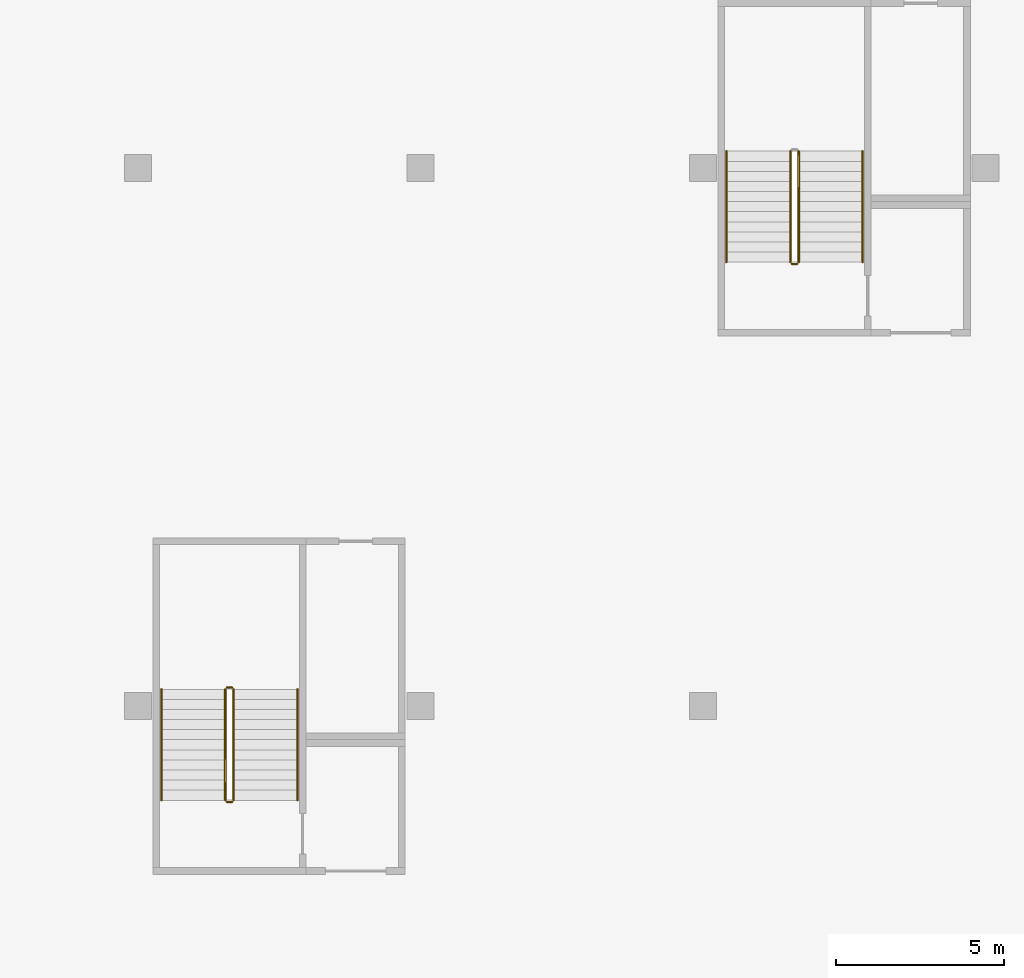
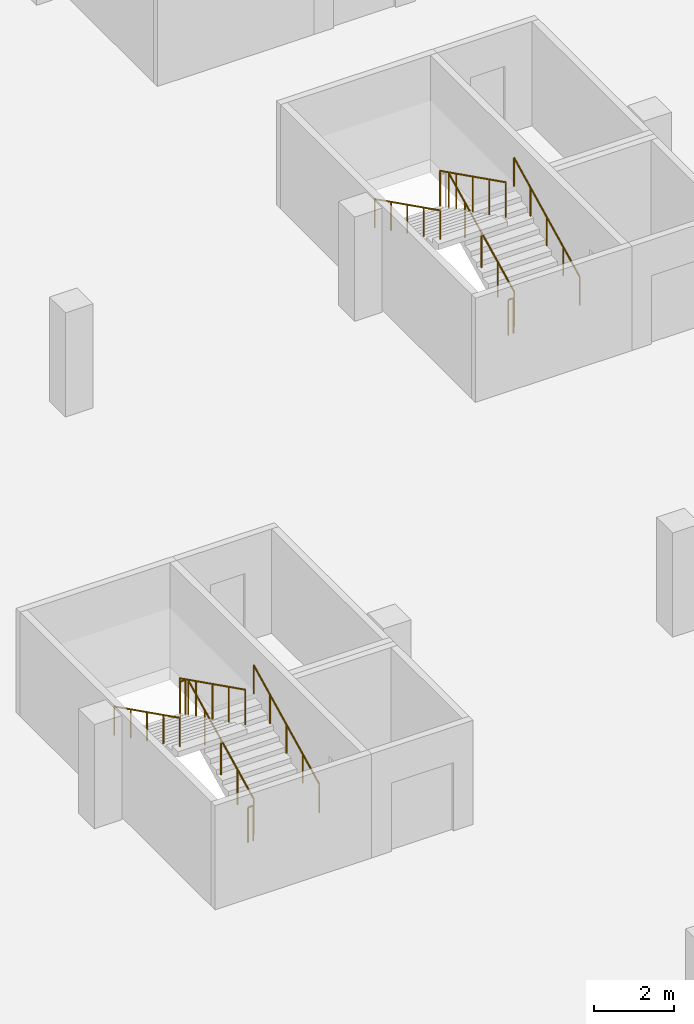
# One storey, part 21 of 37: 11 railings.
"""IFC4 building model written with IfcOpenShell, lengths in metres."""

import ifcopenshell
import ifcopenshell.guid

model = None  # the IFC model being written
_history = None  # IfcOwnerHistory: only IFC2X3 demands one
_inside = {}  # id of a spatial element -> (the spatial element, [elements in it])
_under = {}  # id of a project, library or spatial element -> (it, [spatial elements below it])
_declared = {}  # id of a project -> (the project, [libraries it declares])
_typed = {}  # id of a type object -> (the type object, [elements of that type])
_made_of = {}  # id of a material, layer set ... -> (it, [elements and type objects made of it])


def new_model(schema):
    """Start an empty IFC model of exactly this schema.

    Asked for "IFC4X3", IfcOpenShell would pick the latest addendum, in which some entities
    have other attributes; the version numbers below select the first issue.
    IFC2X3 requires an IfcOwnerHistory on every rooted entity: one is made here for all.
    """
    global model, _history
    if schema == "IFC4X3":
        model = ifcopenshell.file(schema_version=(4, 3, 0, 0))
    else:
        model = ifcopenshell.file(schema=schema)
    _inside.clear()
    _under.clear()
    _declared.clear()
    _typed.clear()
    _made_of.clear()
    _history = None
    if model.schema == "IFC2X3":
        org = make("IfcOrganization", Name="unknown")
        user = make(
            "IfcPersonAndOrganization",
            ThePerson=make("IfcPerson", FamilyName="unknown"),
            TheOrganization=org,
        )
        app = make(
            "IfcApplication",
            ApplicationDeveloper=org,
            Version="unknown",
            ApplicationFullName="unknown",
            ApplicationIdentifier="unknown",
        )
        _history = make(
            "IfcOwnerHistory",
            OwningUser=user,
            OwningApplication=app,
            ChangeAction="ADDED",
            CreationDate=0,
        )
    return model


def make(cls, **values):
    """One entity of the class cls with the attributes given. An attribute that is None is left unset."""
    return model.create_entity(
        cls, **{name: value for name, value in values.items() if value is not None}
    )


def rooted(cls, **values):
    """An entity with a GlobalId (a new one), such as an element, a storey or a relation."""
    return make(cls, GlobalId=ifcopenshell.guid.new(), OwnerHistory=_history, **values)


def si_unit(unit_type, name, prefix=None):
    """IfcSIUnit, for example si_unit("LENGTHUNIT", "METRE", prefix="MILLI")."""
    return make("IfcSIUnit", UnitType=unit_type, Prefix=prefix, Name=name)


def assignment(units):
    """IfcUnitAssignment: the units of a project."""
    return None if units is None else make("IfcUnitAssignment", Units=units)


def point(xyz):
    """IfcCartesianPoint."""
    return None if xyz is None else make("IfcCartesianPoint", Coordinates=xyz)


def direction(xyz):
    """IfcDirection."""
    return None if xyz is None else make("IfcDirection", DirectionRatios=xyz)


def frame(location, z_axis=None, x_axis=None):
    """IfcAxis2Placement3D, a coordinate frame: its origin and axes. An axis left out is left unset."""
    return make(
        "IfcAxis2Placement3D",
        Location=point(location),
        Axis=direction(z_axis),
        RefDirection=direction(x_axis),
    )


def frame_2d(location, x_axis=None):
    """IfcAxis2Placement2D, a coordinate frame in the plane: its origin and x axis."""
    return make(
        "IfcAxis2Placement2D", Location=point(location), RefDirection=direction(x_axis)
    )


def origin():
    """The frame at (0, 0, 0) with its axes left unset."""
    return frame((0.0, 0.0, 0.0))


def origin_2d():
    """The frame at (0, 0) in the plane with its x axis left unset."""
    return frame_2d((0.0, 0.0))


def place(relative_to, where):
    """IfcLocalPlacement: puts the frame where relative to a parent placement (None: the world)."""
    return make(
        "IfcLocalPlacement", PlacementRelTo=relative_to, RelativePlacement=where
    )


def context(
    kind, dimensions, precision=None, world=None, true_north=None, identifier=None
):
    """IfcGeometricRepresentationContext, for example the 3D "Model" context."""
    return make(
        "IfcGeometricRepresentationContext",
        ContextIdentifier=identifier,
        ContextType=kind,
        CoordinateSpaceDimension=dimensions,
        Precision=precision,
        WorldCoordinateSystem=world,
        TrueNorth=true_north,
    )


def subcontext(parent, identifier, kind, view, scale=None):
    """IfcGeometricRepresentationSubContext, for example "Body" below "Model"."""
    return make(
        "IfcGeometricRepresentationSubContext",
        ContextIdentifier=identifier,
        ContextType=kind,
        ParentContext=parent,
        TargetScale=scale,
        TargetView=view,
    )


def project(units=None, contexts=None):
    """IfcProject with its units and contexts."""
    return rooted(
        "IfcProject",
        Name="project",
        RepresentationContexts=contexts,
        UnitsInContext=assignment(units),
    )


def spatial(cls, under=None, at=None, **own):
    """A site, building, storey or space (cls), placed at a placement, below another one or the project."""
    s = rooted(cls, ObjectPlacement=at, **own)
    if under is not None:
        _under.setdefault(under.id(), (under, []))[1].append(s)
    return s


def profile(cls, at=None, kind="AREA", **sizes):
    """A parametric profile (cls). Its sizes go by their IFC names, for example OverallWidth=200.0."""
    return make(cls, ProfileType=kind, Position=at, **sizes)


def circle(**sizes):
    """IfcCircleProfileDef."""
    return profile("IfcCircleProfileDef", **sizes)


def extrude(swept, where, along, depth):
    """IfcExtrudedAreaSolid: the profile swept, set in the frame where, extruded along a direction by depth."""
    return make(
        "IfcExtrudedAreaSolid",
        SweptArea=swept,
        Position=where,
        ExtrudedDirection=direction(along),
        Depth=depth,
    )


def shape(context_of_items, identifier, shape_type, items):
    """IfcShapeRepresentation: the items that make up one representation, for example the "Body"."""
    return make(
        "IfcShapeRepresentation",
        ContextOfItems=context_of_items,
        RepresentationIdentifier=identifier,
        RepresentationType=shape_type,
        Items=items,
    )


def material(Name=None, Category=None):
    """IfcMaterial."""
    return make("IfcMaterial", Name=Name, Category=Category)


def made_of(thing, what):
    """Note that an element or type object is made of a material, layer set ...; save() writes the relation."""
    if what is not None:
        _made_of.setdefault(what.id(), (what, []))[1].append(thing)
    return thing


def type_object(cls, material=None, **own):
    """A type object (cls), such as IfcWallType, which elements share."""
    return made_of(rooted(cls, **own), material)


def element(
    cls,
    number,
    at=None,
    inside=None,
    cuts=None,
    type_object=None,
    material=None,
    context=None,
    identifier="Body",
    shape_type=None,
    held_by="IfcProductDefinitionShape",
    body=None,
    shapes=None,
    **own,
):
    """One element of the class cls, such as IfcWall. Its Tag is "e" and its number.

    at: its placement. inside: the storey or other place that contains it. cuts: it is an
    opening in that element (IfcRelVoidsElement). A single representation is given by context,
    identifier, shape_type and body (its items); several are given by shapes. held_by: the class
    of the entity that holds the representations. save() writes the other relations.
    """
    e = rooted(cls, Tag="e%d" % number, ObjectPlacement=at, **own)
    if body is not None:
        shapes = [shape(context, identifier, shape_type, body)]
    if shapes is not None:
        e.Representation = make(held_by, Representations=shapes)
    if inside is not None:
        _inside.setdefault(inside.id(), (inside, []))[1].append(e)
    if cuts is not None:
        rooted(
            "IfcRelVoidsElement", RelatingBuildingElement=cuts, RelatedOpeningElement=e
        )
    if type_object is not None:
        _typed.setdefault(type_object.id(), (type_object, []))[1].append(e)
    return made_of(e, material)


def aggregate(whole, parts):
    """IfcRelAggregates: a whole, such as a stair, and the parts it consists of."""
    return rooted("IfcRelAggregates", RelatingObject=whole, RelatedObjects=parts)


def save(model, path):
    """Write the relations noted so far, then the file.

    IfcRelAggregates (storeys below a building ...), IfcRelContainedInSpatialStructure (elements
    in a storey), IfcRelDefinesByType, IfcRelAssociatesMaterial and IfcRelDeclares: one each for
    every whole, place, type object, material and project.
    """
    for whole, parts in _under.values():
        aggregate(whole, parts)
    for where, things in _inside.values():
        rooted(
            "IfcRelContainedInSpatialStructure",
            RelatedElements=things,
            RelatingStructure=where,
        )
    for kind, things in _typed.values():
        rooted("IfcRelDefinesByType", RelatedObjects=things, RelatingType=kind)
    for what, things in _made_of.values():
        rooted("IfcRelAssociatesMaterial", RelatedObjects=things, RelatingMaterial=what)
    for by, libraries in _declared.values():
        rooted("IfcRelDeclares", RelatingContext=by, RelatedDefinitions=libraries)
    model.write(path)


model = new_model("IFC4")

# Units and contexts
model_context = context("Model", 3, precision=1e-05, world=origin(), true_north=direction((0.0, 1.0)))
body_context = subcontext(model_context, "Body", "Model", "MODEL_VIEW")
ifc_project = project(units=[si_unit("LENGTHUNIT", "METRE"), si_unit("AREAUNIT", "SQUARE_METRE"), si_unit("VOLUMEUNIT", "CUBIC_METRE"), si_unit("PLANEANGLEUNIT", "RADIAN"), si_unit("MASSUNIT", "GRAM", prefix="KILO")], contexts=[model_context])

# Site, building, storey
site_placement = place(None, origin())
site = spatial("IfcSite", under=ifc_project, at=site_placement, CompositionType="ELEMENT")
building_placement = place(site_placement, origin())
building = spatial("IfcBuilding", under=site, at=building_placement, Name="Tamra Quay Hotel Tower", CompositionType="ELEMENT")
storey_placement = place(building_placement, frame((0.0, 0.0, -7.199951171875)))
storey = spatial("IfcBuildingStorey", under=building, at=storey_placement, Name="B2", CompositionType="ELEMENT", Elevation=-7.199951171875)

# Railings
ifc_material_1 = material(Name="Basement stair guard 1100")
railing_type_1 = type_object("IfcRailingType", Name="Basement stair guard 1100", PredefinedType="GUARDRAIL", material=ifc_material_1)
railing_1_placement = place(storey_placement, frame((-111.449951171875, -34.800048828125, 0.14990234375)))
element("IfcRailing", 1, at=railing_1_placement, inside=storey, type_object=railing_type_1, Name="BSG", PredefinedType="GUARDRAIL", context=body_context, shape_type="SweptSolid", body=[
    extrude(circle(Radius=0.02392578125, at=origin_2d()), frame((0.0, 0.0, 1.076171875), z_axis=(0.0, 0.894413956696, 0.447240063129), x_axis=(-1.0, 0.0, 0.0)), (0.0, 0.0, 1.0), 3.689697265625),
    extrude(circle(Radius=0.02099609375, at=origin_2d()), origin(), (0.0, 0.0, 1.0), 1.052001953125),
    extrude(circle(Radius=0.02099609375, at=origin_2d()), frame((0.0, 0.824951171875, 0.41259765625)), (0.0, 0.0, 1.0), 1.052001953125),
    extrude(circle(Radius=0.02099609375, at=origin_2d()), frame((0.0, 1.64990234375, 0.8251953125)), (0.0, 0.0, 1.0), 1.052001953125),
    extrude(circle(Radius=0.02099609375, at=origin_2d()), frame((0.0, 2.47509765625, 1.237548828125)), (0.0, 0.0, 1.0), 1.052001953125),
    extrude(circle(Radius=0.02099609375, at=origin_2d()), frame((0.0, 3.300048828125, 1.650146484375)), (0.0, 0.0, 1.0), 1.052001953125),
])
railing_2_placement = place(storey_placement, frame((-111.5, -31.449951171875, 1.800048828125)))
element("IfcRailing", 2, at=railing_2_placement, inside=storey, type_object=railing_type_1, Name="BSG", PredefinedType="GUARDRAIL", context=body_context, shape_type="SweptSolid", body=[
    extrude(circle(Radius=0.02392578125, at=origin_2d()), frame((0.0, 0.0, 1.076171875), z_axis=(-1.0, 0.0, 0.0), x_axis=(0.0, -1.0, 0.0)), (0.0, 0.0, 1.0), 0.14990234375),
    extrude(circle(Radius=0.02099609375, at=origin_2d()), origin(), (0.0, 0.0, 1.0), 1.052001953125),
    extrude(circle(Radius=0.02099609375, at=origin_2d()), frame((-0.14990234375, 0.0, 0.0)), (0.0, 0.0, 1.0), 1.052001953125),
])
railing_3_placement = place(storey_placement, frame((-111.699951171875, -31.5, 1.949951171875)))
element("IfcRailing", 3, at=railing_3_placement, inside=storey, type_object=railing_type_1, Name="BSG", PredefinedType="GUARDRAIL", context=body_context, shape_type="SweptSolid", body=[
    extrude(circle(Radius=0.02392578125, at=origin_2d()), frame((0.0, 0.0, 1.076171875), z_axis=(0.0, -0.894440424912, 0.447187126696), x_axis=(1.0, 0.0, 0.0)), (0.0, 0.0, 1.0), 3.689453125),
    extrude(circle(Radius=0.02099609375, at=origin_2d()), origin(), (0.0, 0.0, 1.0), 1.052001953125),
    extrude(circle(Radius=0.02099609375, at=origin_2d()), frame((0.0, -0.824951171875, 0.41259765625)), (0.0, 0.0, 1.0), 1.052001953125),
    extrude(circle(Radius=0.02099609375, at=origin_2d()), frame((0.0, -1.64990234375, 0.824951171875)), (0.0, 0.0, 1.0), 1.052001953125),
    extrude(circle(Radius=0.02099609375, at=origin_2d()), frame((0.0, -2.47509765625, 1.2373046875)), (0.0, 0.0, 1.0), 1.052001953125),
    extrude(circle(Radius=0.02099609375, at=origin_2d()), frame((0.0, -3.300048828125, 1.64990234375)), (0.0, 0.0, 1.0), 1.052001953125),
])
railing_4_placement = place(storey_placement, frame((-111.5, -34.85009765625, 0.0)))
element("IfcRailing", 4, at=railing_4_placement, inside=storey, type_object=railing_type_1, Name="BSG", PredefinedType="GUARDRAIL", context=body_context, shape_type="SweptSolid", body=[
    extrude(circle(Radius=0.02392578125, at=origin_2d()), frame((0.0, 0.0, 1.076171875), z_axis=(-1.0, 0.0, 0.0), x_axis=(0.0, -1.0, 0.0)), (0.0, 0.0, 1.0), 0.14990234375),
    extrude(circle(Radius=0.02099609375, at=origin_2d()), origin(), (0.0, 0.0, 1.0), 1.052001953125),
    extrude(circle(Radius=0.02099609375, at=origin_2d()), frame((-0.14990234375, 0.0, 0.0)), (0.0, 0.0, 1.0), 1.052001953125),
])
railing_5_placement = place(storey_placement, frame((-94.64990234375, -18.800048828125, 0.14990234375)))
element("IfcRailing", 5, at=railing_5_placement, inside=storey, type_object=railing_type_1, Name="BSG", PredefinedType="GUARDRAIL", context=body_context, shape_type="SweptSolid", body=[
    extrude(circle(Radius=0.02392578125, at=origin_2d()), frame((0.0, 0.0, 1.076171875), z_axis=(0.0, 0.894413956696, 0.447240063129), x_axis=(-1.0, 0.0, 0.0)), (0.0, 0.0, 1.0), 3.689697265625),
    extrude(circle(Radius=0.02099609375, at=origin_2d()), origin(), (0.0, 0.0, 1.0), 1.052001953125),
    extrude(circle(Radius=0.02099609375, at=origin_2d()), frame((0.0, 0.824951171875, 0.41259765625)), (0.0, 0.0, 1.0), 1.052001953125),
    extrude(circle(Radius=0.02099609375, at=origin_2d()), frame((0.0, 1.64990234375, 0.8251953125)), (0.0, 0.0, 1.0), 1.052001953125),
    extrude(circle(Radius=0.02099609375, at=origin_2d()), frame((0.0, 2.47509765625, 1.237548828125)), (0.0, 0.0, 1.0), 1.052001953125),
    extrude(circle(Radius=0.02099609375, at=origin_2d()), frame((0.0, 3.300048828125, 1.650146484375)), (0.0, 0.0, 1.0), 1.052001953125),
])
railing_6_placement = place(storey_placement, frame((-94.89990234375, -15.5, 1.949951171875)))
element("IfcRailing", 6, at=railing_6_placement, inside=storey, type_object=railing_type_1, Name="BSG", PredefinedType="GUARDRAIL", context=body_context, shape_type="SweptSolid", body=[
    extrude(circle(Radius=0.02392578125, at=origin_2d()), frame((0.0, 0.0, 1.076171875), z_axis=(0.0, -0.894440424912, 0.447187126696), x_axis=(1.0, 0.0, 0.0)), (0.0, 0.0, 1.0), 3.689453125),
    extrude(circle(Radius=0.02099609375, at=origin_2d()), origin(), (0.0, 0.0, 1.0), 1.052001953125),
    extrude(circle(Radius=0.02099609375, at=origin_2d()), frame((0.0, -0.824951171875, 0.41259765625)), (0.0, 0.0, 1.0), 1.052001953125),
    extrude(circle(Radius=0.02099609375, at=origin_2d()), frame((0.0, -1.64990234375, 0.824951171875)), (0.0, 0.0, 1.0), 1.052001953125),
    extrude(circle(Radius=0.02099609375, at=origin_2d()), frame((0.0, -2.47509765625, 1.2373046875)), (0.0, 0.0, 1.0), 1.052001953125),
    extrude(circle(Radius=0.02099609375, at=origin_2d()), frame((0.0, -3.300048828125, 1.64990234375)), (0.0, 0.0, 1.0), 1.052001953125),
])
railing_7_placement = place(storey_placement, frame((-94.699951171875, -18.85009765625, 0.0)))
element("IfcRailing", 7, at=railing_7_placement, inside=storey, type_object=railing_type_1, Name="BSG", PredefinedType="GUARDRAIL", context=body_context, shape_type="SweptSolid", body=[
    extrude(circle(Radius=0.02392578125, at=origin_2d()), frame((0.0, 0.0, 1.076171875), z_axis=(-1.0, 0.0, 0.0), x_axis=(0.0, -1.0, 0.0)), (0.0, 0.0, 1.0), 0.150146484375),
    extrude(circle(Radius=0.02099609375, at=origin_2d()), origin(), (0.0, 0.0, 1.0), 1.052001953125),
    extrude(circle(Radius=0.02099609375, at=origin_2d()), frame((-0.150146484375, 0.0, 0.0)), (0.0, 0.0, 1.0), 1.052001953125),
])
ifc_material_2 = material(Name="Basement stair handrail 900")
railing_type_2 = type_object("IfcRailingType", Name="Basement stair handrail 900", PredefinedType="HANDRAIL", material=ifc_material_2)
railing_8_placement = place(storey_placement, frame((-109.550048828125, -34.800048828125, 0.14990234375)))
element("IfcRailing", 8, at=railing_8_placement, inside=storey, type_object=railing_type_2, Name="BSH", PredefinedType="HANDRAIL", context=body_context, shape_type="SweptSolid", body=[
    extrude(circle(Radius=0.02392578125, at=origin_2d()), frame((0.0, 0.0, 0.8759765625), z_axis=(0.0, 0.894413956696, 0.447240063129), x_axis=(-1.0, 0.0, 0.0)), (0.0, 0.0, 1.0), 3.689697265625),
    extrude(circle(Radius=0.02099609375, at=origin_2d()), origin(), (0.0, 0.0, 1.0), 0.851806640625),
    extrude(circle(Radius=0.02099609375, at=origin_2d()), frame((0.0, 0.824951171875, 0.41259765625)), (0.0, 0.0, 1.0), 0.851806640625),
    extrude(circle(Radius=0.02099609375, at=origin_2d()), frame((0.0, 1.64990234375, 0.8251953125)), (0.0, 0.0, 1.0), 0.851806640625),
    extrude(circle(Radius=0.02099609375, at=origin_2d()), frame((0.0, 2.47509765625, 1.237548828125)), (0.0, 0.0, 1.0), 0.851806640625),
    extrude(circle(Radius=0.02099609375, at=origin_2d()), frame((0.0, 3.300048828125, 1.650146484375)), (0.0, 0.0, 1.0), 0.851806640625),
])
railing_9_placement = place(storey_placement, frame((-113.60009765625, -31.5, 1.949951171875)))
element("IfcRailing", 9, at=railing_9_placement, inside=storey, type_object=railing_type_2, Name="BSH", PredefinedType="HANDRAIL", context=body_context, shape_type="SweptSolid", body=[
    extrude(circle(Radius=0.02392578125, at=origin_2d()), frame((0.0, 0.0, 0.8759765625), z_axis=(0.0, -0.894440424912, 0.447187126696), x_axis=(1.0, 0.0, 0.0)), (0.0, 0.0, 1.0), 3.689453125),
    extrude(circle(Radius=0.02099609375, at=origin_2d()), origin(), (0.0, 0.0, 1.0), 0.851806640625),
    extrude(circle(Radius=0.02099609375, at=origin_2d()), frame((0.0, -0.824951171875, 0.41259765625)), (0.0, 0.0, 1.0), 0.851806640625),
    extrude(circle(Radius=0.02099609375, at=origin_2d()), frame((0.0, -1.64990234375, 0.824951171875)), (0.0, 0.0, 1.0), 0.851806640625),
    extrude(circle(Radius=0.02099609375, at=origin_2d()), frame((0.0, -2.47509765625, 1.2373046875)), (0.0, 0.0, 1.0), 0.851806640625),
    extrude(circle(Radius=0.02099609375, at=origin_2d()), frame((0.0, -3.300048828125, 1.64990234375)), (0.0, 0.0, 1.0), 0.851806640625),
])
railing_10_placement = place(storey_placement, frame((-92.75, -18.800048828125, 0.14990234375)))
element("IfcRailing", 10, at=railing_10_placement, inside=storey, type_object=railing_type_2, Name="BSH", PredefinedType="HANDRAIL", context=body_context, shape_type="SweptSolid", body=[
    extrude(circle(Radius=0.02392578125, at=origin_2d()), frame((0.0, 0.0, 0.8759765625), z_axis=(0.0, 0.894413956696, 0.447240063129), x_axis=(-1.0, 0.0, 0.0)), (0.0, 0.0, 1.0), 3.689697265625),
    extrude(circle(Radius=0.02099609375, at=origin_2d()), origin(), (0.0, 0.0, 1.0), 0.851806640625),
    extrude(circle(Radius=0.02099609375, at=origin_2d()), frame((0.0, 0.824951171875, 0.41259765625)), (0.0, 0.0, 1.0), 0.851806640625),
    extrude(circle(Radius=0.02099609375, at=origin_2d()), frame((0.0, 1.64990234375, 0.8251953125)), (0.0, 0.0, 1.0), 0.851806640625),
    extrude(circle(Radius=0.02099609375, at=origin_2d()), frame((0.0, 2.47509765625, 1.237548828125)), (0.0, 0.0, 1.0), 0.851806640625),
    extrude(circle(Radius=0.02099609375, at=origin_2d()), frame((0.0, 3.300048828125, 1.650146484375)), (0.0, 0.0, 1.0), 0.851806640625),
])
railing_11_placement = place(storey_placement, frame((-96.800048828125, -15.5, 1.949951171875)))
element("IfcRailing", 11, at=railing_11_placement, inside=storey, type_object=railing_type_2, Name="BSH", PredefinedType="HANDRAIL", context=body_context, shape_type="SweptSolid", body=[
    extrude(circle(Radius=0.02392578125, at=origin_2d()), frame((0.0, 0.0, 0.8759765625), z_axis=(0.0, -0.894440424912, 0.447187126696), x_axis=(1.0, 0.0, 0.0)), (0.0, 0.0, 1.0), 3.689453125),
    extrude(circle(Radius=0.02099609375, at=origin_2d()), origin(), (0.0, 0.0, 1.0), 0.851806640625),
    extrude(circle(Radius=0.02099609375, at=origin_2d()), frame((0.0, -0.824951171875, 0.41259765625)), (0.0, 0.0, 1.0), 0.851806640625),
    extrude(circle(Radius=0.02099609375, at=origin_2d()), frame((0.0, -1.64990234375, 0.824951171875)), (0.0, 0.0, 1.0), 0.851806640625),
    extrude(circle(Radius=0.02099609375, at=origin_2d()), frame((0.0, -2.47509765625, 1.2373046875)), (0.0, 0.0, 1.0), 0.851806640625),
    extrude(circle(Radius=0.02099609375, at=origin_2d()), frame((0.0, -3.300048828125, 1.64990234375)), (0.0, 0.0, 1.0), 0.851806640625),
])

save(model, "model.ifc")
